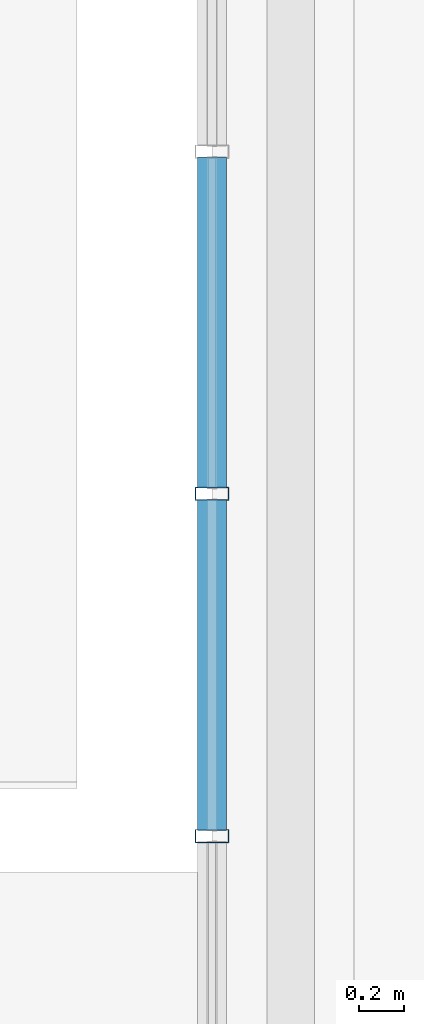
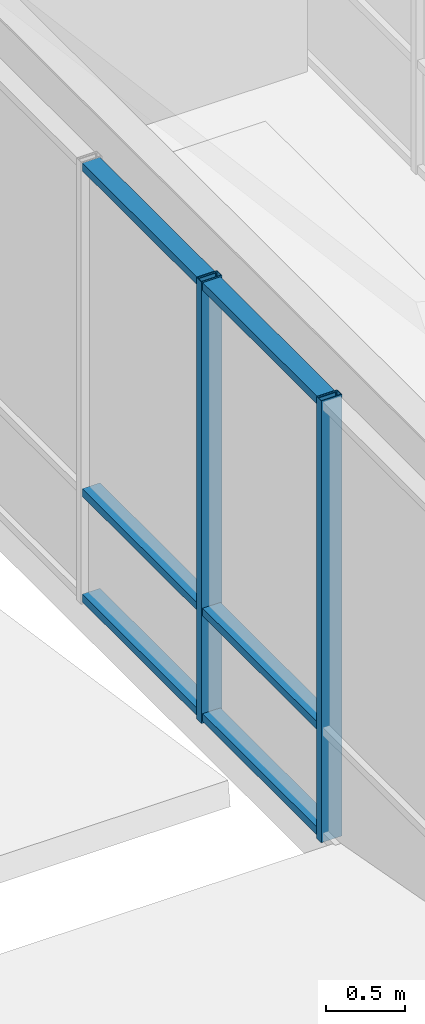
# One storey, part 18 of 104: 8 members, 1 element without a shape of its own.
"""IFC4 building model written with IfcOpenShell, lengths in metres."""

from ifc_helpers import new_model, si_unit, direction, frame, origin, origin_2d, place, context, subcontext, project, spatial, hollow_rectangle, extrude, material, layer, layer_set, material_profile, profile_set, type_object, element, aggregate, save


model = new_model("IFC4")

# Units and contexts
model_context = context("Model", 3, precision=1e-05, world=origin(), true_north=direction((0.0, 1.0)))
body_context = subcontext(model_context, "Body", "Model", "MODEL_VIEW")
ifc_project = project(units=[si_unit("LENGTHUNIT", "METRE"), si_unit("AREAUNIT", "SQUARE_METRE"), si_unit("VOLUMEUNIT", "CUBIC_METRE"), si_unit("PLANEANGLEUNIT", "RADIAN"), si_unit("MASSUNIT", "GRAM", prefix="KILO")], contexts=[model_context])

# Site, building, storey
site_placement = place(None, origin())
site = spatial("IfcSite", under=ifc_project, at=site_placement, CompositionType="ELEMENT")
building_placement = place(site_placement, origin())
building = spatial("IfcBuilding", under=site, at=building_placement, Name="Ventoquebrada Cableway Terminal", CompositionType="ELEMENT")
storey_placement = place(building_placement, frame((0.0, 0.0, 4.800048828125)))
storey = spatial("IfcBuildingStorey", under=building, at=storey_placement, Name="L01", CompositionType="ELEMENT", Elevation=4.800048828125)

# Curtain wall, members
ifc_material = material(Name="Anodized thermally-broken aluminium", Category="aluminium")
ifc_layer = layer(ifc_material, 0.159912109375)
ifc_layer_set = layer_set([ifc_layer], Name="Anodized thermally-broken aluminium")
curtain_wall_type = type_object("IfcCurtainWallType", Name="CW-T51", PredefinedType="USERDEFINED", material=ifc_layer_set)
curtain_wall_placement = place(storey_placement, origin())
curtain_wall = element("IfcCurtainWall", 1, at=curtain_wall_placement, inside=storey, type_object=curtain_wall_type, Name="Unitised glazed curtain wall CW-169", ObjectType="UNITISED CURTAIN WALL", PredefinedType="USERDEFINED")
ifc_material_profile_1 = material_profile(ifc_material, hollow_rectangle(XDim=0.06005859375, YDim=0.14990234375, WallThickness=0.00390625, at=origin_2d()), Name="CW-MUL-60X150")
ifc_profile_set_1 = profile_set([ifc_material_profile_1], Name="Anodized thermally-broken aluminium")
member_type_1 = type_object("IfcMemberType", Name="CWM-03", PredefinedType="MULLION", material=ifc_profile_set_1)
member_1_placement = place(storey_placement, frame((19.800048828125, 56.159912109375, -0.008056640625), z_axis=(0.0, 0.0, 1.0), x_axis=(0.0, 1.0, 0.0)))
member_1 = element("IfcMember", 2, at=member_1_placement, type_object=member_type_1, Name="Curtain wall mullion FML-0824", PredefinedType="MULLION", context=body_context, shape_type="SweptSolid", body=[
    extrude(hollow_rectangle(XDim=0.06005859375, YDim=0.14990234375, WallThickness=0.00390625, at=origin_2d()), origin(), (0.0, 0.0, 1.0), 3.4130859375),
])
member_2_placement = place(storey_placement, frame((19.800048828125, 57.678955078125, -0.008056640625), z_axis=(0.0, 0.0, 1.0), x_axis=(0.0, 1.0, 0.0)))
member_2 = element("IfcMember", 3, at=member_2_placement, type_object=member_type_1, Name="Curtain wall mullion FML-0825", PredefinedType="MULLION", context=body_context, shape_type="SweptSolid", body=[
    extrude(hollow_rectangle(XDim=0.06005859375, YDim=0.14990234375, WallThickness=0.00390625, at=origin_2d()), origin(), (0.0, 0.0, 1.0), 3.4130859375),
])
ifc_material_profile_2 = material_profile(ifc_material, hollow_rectangle(XDim=0.06005859375, YDim=0.1298828125, WallThickness=0.00390625, at=origin_2d()), Name="CW-TRN-60X130")
ifc_profile_set_2 = profile_set([ifc_material_profile_2], Name="Anodized thermally-broken aluminium")
member_type_2 = type_object("IfcMemberType", Name="CWT-02", PredefinedType="USERDEFINED", material=ifc_profile_set_2)
member_3_placement = place(storey_placement, frame((19.800048828125, 56.18505859375, 0.034912109375), z_axis=(0.0, 1.0, 0.0), x_axis=(0.0, 0.0, 1.0)))
member_3 = element("IfcMember", 4, at=member_3_placement, type_object=member_type_2, Name="Curtain wall transom FTR-2414", ObjectType="TRANSOM", PredefinedType="USERDEFINED", context=body_context, shape_type="SweptSolid", body=[
    extrude(hollow_rectangle(XDim=0.06005859375, YDim=0.1298828125, WallThickness=0.00390625, at=origin_2d()), origin(), (0.0, 0.0, 1.0), 1.468994140625),
])
member_4_placement = place(storey_placement, frame((19.800048828125, 56.18505859375, 0.849853515625), z_axis=(0.0, 1.0, 0.0), x_axis=(0.0, 0.0, 1.0)))
member_4 = element("IfcMember", 5, at=member_4_placement, type_object=member_type_2, Name="Curtain wall transom FTR-2415", ObjectType="TRANSOM", PredefinedType="USERDEFINED", context=body_context, shape_type="SweptSolid", body=[
    extrude(hollow_rectangle(XDim=0.06005859375, YDim=0.1298828125, WallThickness=0.00390625, at=origin_2d()), origin(), (0.0, 0.0, 1.0), 1.468994140625),
])
member_5_placement = place(storey_placement, frame((19.800048828125, 56.18505859375, 3.364990234375), z_axis=(0.0, 1.0, 0.0), x_axis=(0.0, 0.0, 1.0)))
member_5 = element("IfcMember", 6, at=member_5_placement, type_object=member_type_2, Name="Curtain wall transom FTR-2416", ObjectType="TRANSOM", PredefinedType="USERDEFINED", context=body_context, shape_type="SweptSolid", body=[
    extrude(hollow_rectangle(XDim=0.06005859375, YDim=0.1298828125, WallThickness=0.00390625, at=origin_2d()), origin(), (0.0, 0.0, 1.0), 1.468994140625),
])
member_6_placement = place(storey_placement, frame((19.800048828125, 57.7041015625, 0.034912109375), z_axis=(0.0, 1.0, 0.0), x_axis=(0.0, 0.0, 1.0)))
member_6 = element("IfcMember", 7, at=member_6_placement, type_object=member_type_2, Name="Curtain wall transom FTR-2417", ObjectType="TRANSOM", PredefinedType="USERDEFINED", context=body_context, shape_type="SweptSolid", body=[
    extrude(hollow_rectangle(XDim=0.06005859375, YDim=0.1298828125, WallThickness=0.00390625, at=origin_2d()), origin(), (0.0, 0.0, 1.0), 1.468994140625),
])
member_7_placement = place(storey_placement, frame((19.800048828125, 57.7041015625, 0.849853515625), z_axis=(0.0, 1.0, 0.0), x_axis=(0.0, 0.0, 1.0)))
member_7 = element("IfcMember", 8, at=member_7_placement, type_object=member_type_2, Name="Curtain wall transom FTR-2418", ObjectType="TRANSOM", PredefinedType="USERDEFINED", context=body_context, shape_type="SweptSolid", body=[
    extrude(hollow_rectangle(XDim=0.06005859375, YDim=0.1298828125, WallThickness=0.00390625, at=origin_2d()), origin(), (0.0, 0.0, 1.0), 1.468994140625),
])
member_8_placement = place(storey_placement, frame((19.800048828125, 57.7041015625, 3.364990234375), z_axis=(0.0, 1.0, 0.0), x_axis=(0.0, 0.0, 1.0)))
member_8 = element("IfcMember", 9, at=member_8_placement, type_object=member_type_2, Name="Curtain wall transom FTR-2419", ObjectType="TRANSOM", PredefinedType="USERDEFINED", context=body_context, shape_type="SweptSolid", body=[
    extrude(hollow_rectangle(XDim=0.06005859375, YDim=0.1298828125, WallThickness=0.00390625, at=origin_2d()), origin(), (0.0, 0.0, 1.0), 1.468994140625),
])
aggregate(curtain_wall, [member_1, member_2, member_3, member_4, member_5, member_6, member_7, member_8])

save(model, "model.ifc")
